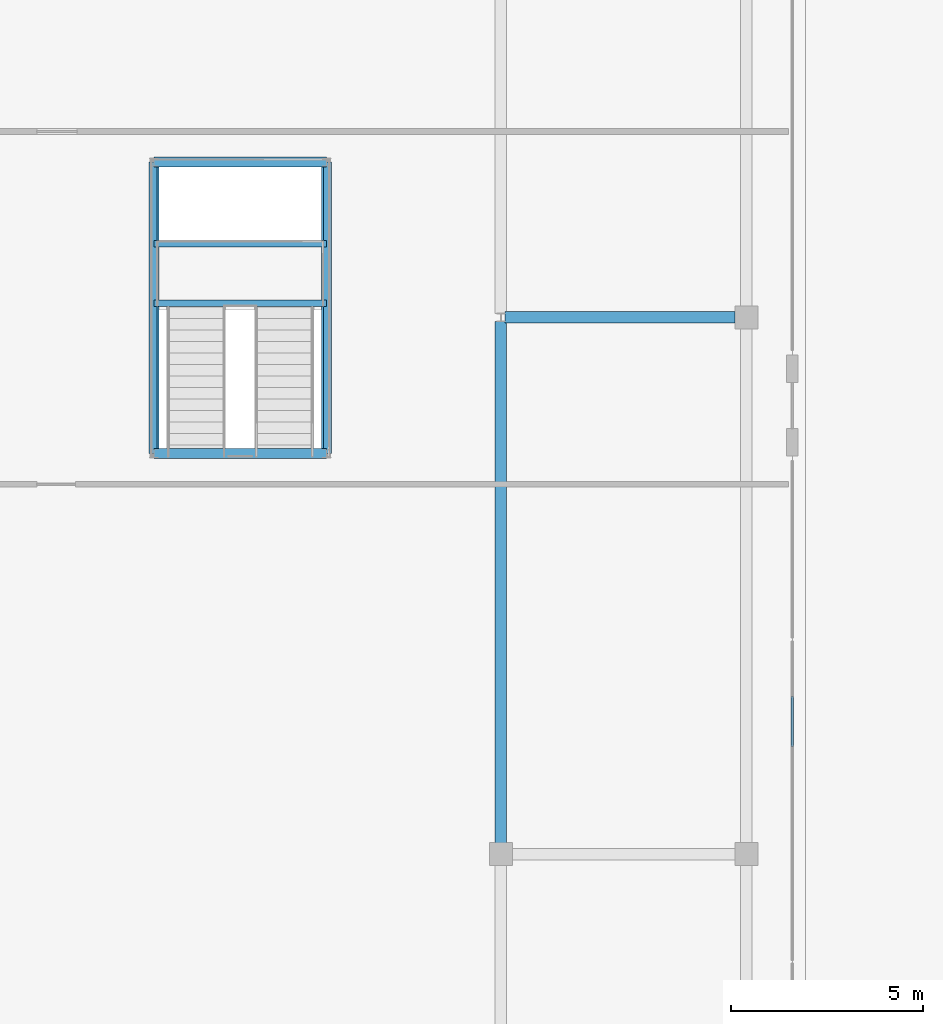
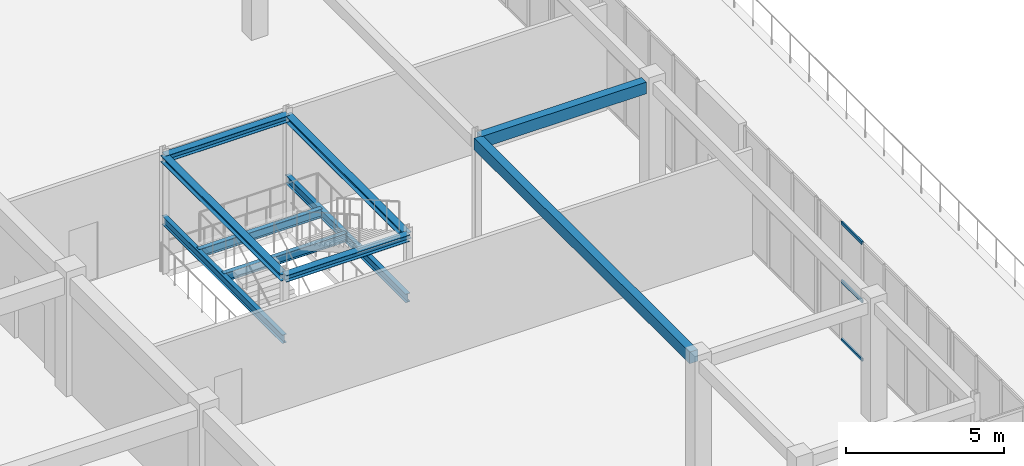
# One storey, part 49 of 158: 10 beams, 3 members, 1 element without a shape of its own.
"""IFC4 building model written with IfcOpenShell, lengths in metres."""

from ifc_helpers import new_model, si_unit, direction, frame, origin, origin_2d, place, context, subcontext, project, spatial, rectangle, hollow_rectangle, i_section, extrude, material, layer, layer_set, material_profile, profile_set, type_object, element, aggregate, save


model = new_model("IFC4")

# Units and contexts
model_context = context("Model", 3, precision=1e-05, world=origin(), true_north=direction((0.0, 1.0)))
body_context = subcontext(model_context, "Body", "Model", "MODEL_VIEW")
ifc_project = project(units=[si_unit("LENGTHUNIT", "METRE"), si_unit("AREAUNIT", "SQUARE_METRE"), si_unit("VOLUMEUNIT", "CUBIC_METRE"), si_unit("PLANEANGLEUNIT", "RADIAN"), si_unit("MASSUNIT", "GRAM", prefix="KILO")], contexts=[model_context])

# Site, building, storey
site_placement = place(None, origin())
site = spatial("IfcSite", under=ifc_project, at=site_placement, CompositionType="ELEMENT")
building_placement = place(site_placement, origin())
building = spatial("IfcBuilding", under=site, at=building_placement, Name="Trelvath General Hospital", CompositionType="ELEMENT")
storey_placement = place(building_placement, frame((0.0, 0.0, 8.10009765625)))
storey = spatial("IfcBuildingStorey", under=building, at=storey_placement, Name="L02", CompositionType="ELEMENT", Elevation=8.10009765625)

# Beams
ifc_material_1 = material(Name="Concrete C35/45", Category="concrete")
ifc_material_profile_1 = material_profile(ifc_material_1, rectangle(XDim=0.300048828125, YDim=0.449951171875, at=origin_2d()), Name="RCB300x450")
ifc_profile_set_1 = profile_set([ifc_material_profile_1], Name="Concrete C35/45")
beam_type_1 = type_object("IfcBeamType", Name="Beam RC300x450", PredefinedType="BEAM", material=ifc_profile_set_1)
beam_1_placement = place(storey_placement, frame((107.305908203125, 58.800048828125, 4.3349609375), z_axis=(1.0, 0.0, 0.0), x_axis=(0.0, 1.0, 0.0)))
element("IfcBeam", 1, at=beam_1_placement, inside=storey, type_object=beam_type_1, Name="Cube Interior Ring Beam CUBE-E-T1 L02", PredefinedType="BEAM", context=body_context, shape_type="SweptSolid", body=[
    extrude(rectangle(XDim=0.300048828125, YDim=0.449951171875, at=origin_2d()), origin(), (0.0, 0.0, 1.0), 5.998046875),
])
beam_2_placement = place(storey_placement, frame((107.199951171875, 45.095947265625, 4.3349609375), z_axis=(0.0, 1.0, 0.0), x_axis=(-1.0, 0.0, 0.0)))
element("IfcBeam", 2, at=beam_2_placement, inside=storey, type_object=beam_type_1, Name="Cube Interior Ring Beam CUBE-E-T1 L02", PredefinedType="BEAM", context=body_context, shape_type="SweptSolid", body=[
    extrude(rectangle(XDim=0.300048828125, YDim=0.449951171875, at=origin_2d()), origin(), (0.0, 0.0, 1.0), 13.59814453125),
])

# Curtain wall, members
ifc_material_2 = material(Name="Anodised aluminium and low-E glass", Category="aluminium")
ifc_layer = layer(ifc_material_2, 0.139892578125)
ifc_layer_set = layer_set([ifc_layer], Name="Anodised aluminium and low-E glass")
curtain_wall_type = type_object("IfcCurtainWallType", Name="CW CrystalCube 824 456 14", PredefinedType="USERDEFINED", material=ifc_layer_set)
curtain_wall_placement = place(storey_placement, origin())
curtain_wall = element("IfcCurtainWall", 3, at=curtain_wall_placement, inside=storey, type_object=curtain_wall_type, Name="Crystal Cube Curtain Wall CUBE-E-T1 E2 L02", ObjectType="Unitised Glazed Curtain Wall", PredefinedType="USERDEFINED")
ifc_material_3 = material(Name="Anodised aluminium", Category="aluminium")
ifc_material_profile_2 = material_profile(ifc_material_3, hollow_rectangle(XDim=0.06005859375, YDim=0.110107421875, WallThickness=0.00390625, at=origin_2d()), Name="RHS60x110x4")
ifc_profile_set_2 = profile_set([ifc_material_profile_2], Name="Anodised aluminium")
member_type = type_object("IfcMemberType", Name="CurtainTransom 60x110", PredefinedType="USERDEFINED", material=ifc_profile_set_2)
member_1_placement = place(storey_placement, frame((114.800048828125, 48.916748046875, 0.02978515625), z_axis=(0.0, -1.0, 0.0), x_axis=(1.0, 0.0, 0.0)))
member_1 = element("IfcMember", 4, at=member_1_placement, type_object=member_type, Name="CW-213 transom 2.1", ObjectType="TRANSOM", PredefinedType="USERDEFINED", context=body_context, shape_type="SweptSolid", body=[
    extrude(hollow_rectangle(XDim=0.06005859375, YDim=0.110107421875, WallThickness=0.00390625, at=origin_2d()), origin(), (0.0, 0.0, 1.0), 1.3134765625),
])
member_2_placement = place(storey_placement, frame((114.800048828125, 48.916748046875, 2.27978515625), z_axis=(0.0, -1.0, 0.0), x_axis=(1.0, 0.0, 0.0)))
member_2 = element("IfcMember", 5, at=member_2_placement, type_object=member_type, Name="CW-213 transom 2.2", ObjectType="TRANSOM", PredefinedType="USERDEFINED", context=body_context, shape_type="SweptSolid", body=[
    extrude(hollow_rectangle(XDim=0.06005859375, YDim=0.110107421875, WallThickness=0.00390625, at=origin_2d()), origin(), (0.0, 0.0, 1.0), 1.3134765625),
])
member_3_placement = place(storey_placement, frame((114.800048828125, 48.916748046875, 4.52978515625), z_axis=(0.0, -1.0, 0.0), x_axis=(1.0, 0.0, 0.0)))
member_3 = element("IfcMember", 6, at=member_3_placement, type_object=member_type, Name="CW-213 transom 2.3", ObjectType="TRANSOM", PredefinedType="USERDEFINED", context=body_context, shape_type="SweptSolid", body=[
    extrude(hollow_rectangle(XDim=0.06005859375, YDim=0.110107421875, WallThickness=0.00390625, at=origin_2d()), origin(), (0.0, 0.0, 1.0), 1.3134765625),
])
aggregate(curtain_wall, [member_1, member_2, member_3])

# Beams
ifc_material_4 = material(Name="Steel S355", Category="steel")
ifc_material_profile_3 = material_profile(ifc_material_4, i_section(OverallWidth=0.260009765625, OverallDepth=0.25, WebThickness=0.007568359375, FlangeThickness=0.012451171875, at=origin_2d()), Name="HEA260")
ifc_profile_set_3 = profile_set([ifc_material_profile_3], Name="Steel S355")
beam_type_2 = type_object("IfcBeamType", Name="RingBeam HEA260", PredefinedType="BEAM", material=ifc_profile_set_3)
for number, where, z_axis, x_axis, name in (
    (7, (98.14990234375, 55.25, 4.414794921875), (1.0, 0.0, 0.0), (0.0, 1.0, 0.0), "Atrium Ring Beam CUBE-E S L02"),
    (8, (98.14990234375, 62.85009765625, 4.414794921875), (1.0, 0.0, 0.0), (0.0, 1.0, 0.0), "Atrium Ring Beam CUBE-E N L02"),
):
    element("IfcBeam", number, at=place(storey_placement, frame(where, z_axis=z_axis, x_axis=x_axis)), inside=storey, type_object=beam_type_2, Name=name, PredefinedType="BEAM", context=body_context, shape_type="SweptSolid", body=[
        extrude(i_section(OverallWidth=0.260009765625, OverallDepth=0.25, WebThickness=0.007568359375, FlangeThickness=0.012451171875, at=origin_2d()), origin(), (0.0, 0.0, 1.0), 4.5),
    ])
for number, where, z_axis, x_axis, name in (
    (9, (98.14990234375, 55.25, 4.414794921875), (0.0, 1.0, 0.0), (-1.0, 0.0, 0.0), "Atrium Ring Beam CUBE-E W L02"),
    (10, (102.64990234375, 55.25, 4.414794921875), (0.0, 1.0, 0.0), (-1.0, 0.0, 0.0), "Atrium Ring Beam CUBE-E E L02"),
):
    element("IfcBeam", number, at=place(storey_placement, frame(where, z_axis=z_axis, x_axis=x_axis)), inside=storey, type_object=beam_type_2, Name=name, PredefinedType="BEAM", context=body_context, shape_type="SweptSolid", body=[
        extrude(i_section(OverallWidth=0.260009765625, OverallDepth=0.25, WebThickness=0.007568359375, FlangeThickness=0.012451171875, at=origin_2d()), origin(), (0.0, 0.0, 1.0), 7.60009765625),
    ])
ifc_material_5 = material(Name="Steel S355", Category="steel")
ifc_material_profile_4 = material_profile(ifc_material_5, i_section(OverallWidth=0.159912109375, OverallDepth=0.330078125, WebThickness=0.007568359375, FlangeThickness=0.011474609375, at=origin_2d()), Name="IPE330")
ifc_profile_set_4 = profile_set([ifc_material_profile_4], Name="Steel S355")
beam_type_3 = type_object("IfcBeamType", Name="StairLandingBeam IPE330", PredefinedType="BEAM", material=ifc_profile_set_4)
for number, where, z_axis, x_axis, name in (
    (11, (98.14990234375, 55.25, 2.034912109375), (0.0, 1.0, 0.0), (-1.0, 0.0, 0.0), "Cube Stair Stringer Beam CUBE-E W L02"),
    (12, (102.64990234375, 55.25, 2.034912109375), (0.0, 1.0, 0.0), (-1.0, 0.0, 0.0), "Cube Stair Stringer Beam CUBE-E E L02"),
):
    element("IfcBeam", number, at=place(storey_placement, frame(where, z_axis=z_axis, x_axis=x_axis)), inside=storey, type_object=beam_type_3, Name=name, PredefinedType="BEAM", context=body_context, shape_type="SweptSolid", body=[
        extrude(i_section(OverallWidth=0.159912109375, OverallDepth=0.330078125, WebThickness=0.007568359375, FlangeThickness=0.011474609375, at=origin_2d()), origin(), (0.0, 0.0, 1.0), 7.60009765625),
    ])
for number, where, z_axis, x_axis, name in (
    (13, (98.14990234375, 59.169921875, 2.034912109375), (1.0, 0.0, 0.0), (0.0, 1.0, 0.0), "Cube Landing Cross Beam CUBE-E S L02"),
    (14, (98.14990234375, 60.719970703125, 2.034912109375), (1.0, 0.0, 0.0), (0.0, 1.0, 0.0), "Cube Landing Cross Beam CUBE-E N L02"),
):
    element("IfcBeam", number, at=place(storey_placement, frame(where, z_axis=z_axis, x_axis=x_axis)), inside=storey, type_object=beam_type_3, Name=name, PredefinedType="BEAM", context=body_context, shape_type="SweptSolid", body=[
        extrude(i_section(OverallWidth=0.159912109375, OverallDepth=0.330078125, WebThickness=0.007568359375, FlangeThickness=0.011474609375, at=origin_2d()), origin(), (0.0, 0.0, 1.0), 4.5),
    ])

save(model, "model.ifc")
